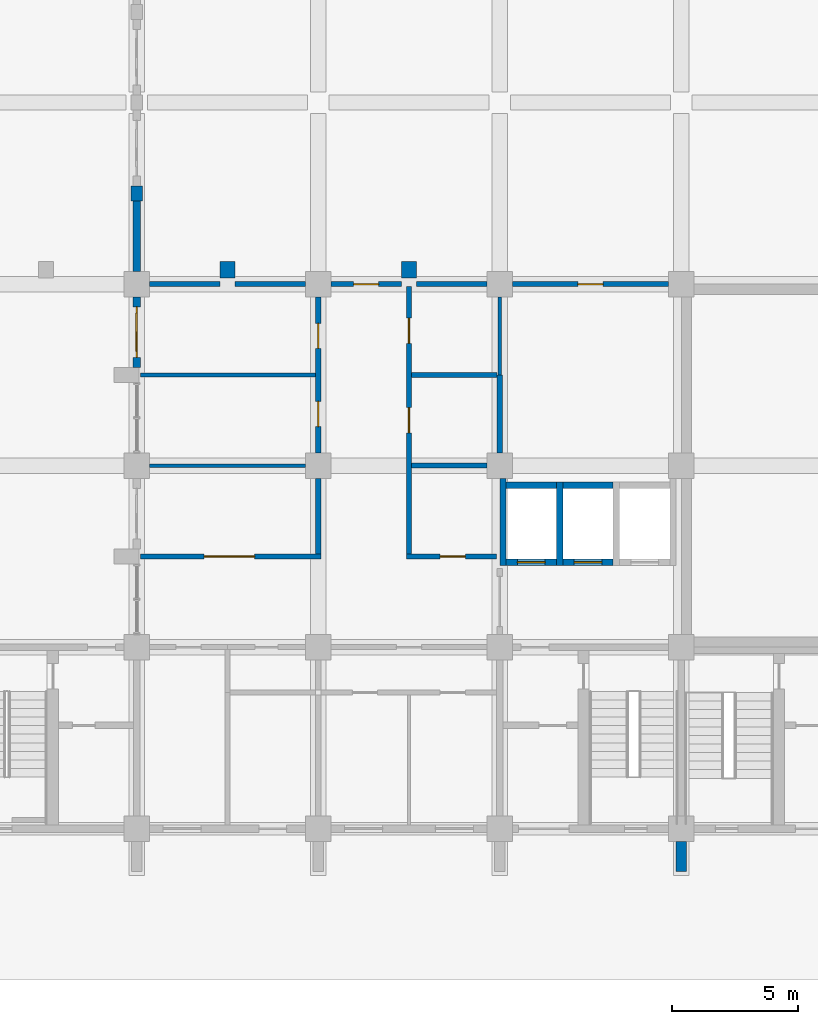
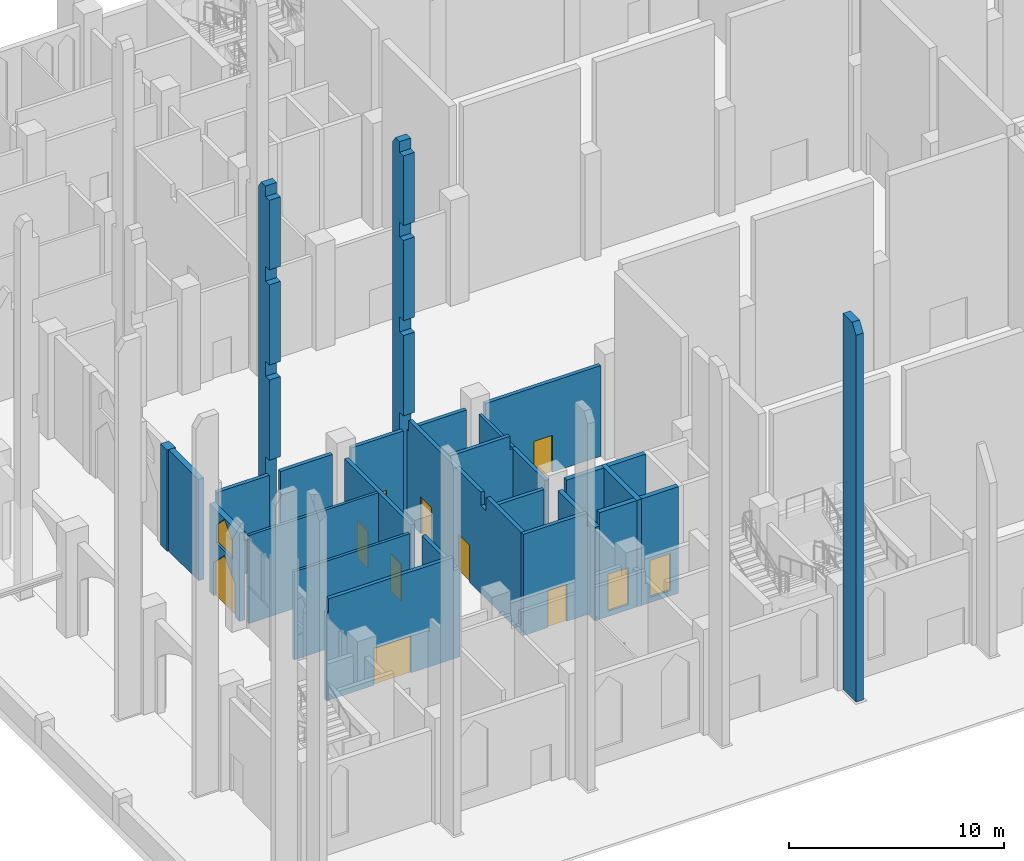
# One storey, part 30 of 50: 28 walls, 11 doors, 1 window, 12 openings.
"""IFC4 building model written with IfcOpenShell, lengths in metres."""

from ifc_helpers import new_model, si_unit, direction, frame, frame_2d, origin, place, context, subcontext, project, spatial, polyline, rectangle, outline, extrude, material, layer, layer_set, type_object, element, fill, save


model = new_model("IFC4")

# Units and contexts
model_context = context("Model", 3, precision=1e-05, world=origin(), true_north=direction((0.0, 1.0)))
body_context = subcontext(model_context, "Body", "Model", "MODEL_VIEW")
ifc_project = project(units=[si_unit("LENGTHUNIT", "METRE"), si_unit("AREAUNIT", "SQUARE_METRE"), si_unit("VOLUMEUNIT", "CUBIC_METRE"), si_unit("PLANEANGLEUNIT", "RADIAN"), si_unit("MASSUNIT", "GRAM", prefix="KILO")], contexts=[model_context])

# Site, building, storey
site_placement = place(None, origin())
site = spatial("IfcSite", under=ifc_project, at=site_placement, CompositionType="ELEMENT")
building_placement = place(site_placement, origin())
building = spatial("IfcBuilding", under=site, at=building_placement, Name="Silangan Lancet Faculty of Sciences", CompositionType="ELEMENT")
storey_placement = place(building_placement, origin())
storey = spatial("IfcBuildingStorey", under=building, at=storey_placement, Name="L00", CompositionType="ELEMENT", Elevation=0.0)

# Wall, openings, window, door
ifc_material_1 = material(Name="Concrete C40/50 precast", Category="concrete")
ifc_layer_1 = layer(ifc_material_1, 0.300048828125)
ifc_layer_set_1 = layer_set([ifc_layer_1], Name="Concrete C40/50 precast")
wall_type_1 = type_object("IfcWallType", Name="EW1 Precast cladding wall", PredefinedType="STANDARD", material=ifc_layer_set_1)
wall_1_placement = place(storey_placement, frame((7.199951171875, 18.300048828125, 0.0), z_axis=(0.0, 0.0, 1.0), x_axis=(0.0, 1.0, 0.0)))
wall_1 = element("IfcWall", 1, at=wall_1_placement, inside=storey, type_object=wall_type_1, Name="EW-L00-SHOP-W-S-m03", PredefinedType="STANDARD", context=body_context, shape_type="SweptSolid", body=[
    extrude(rectangle(XDim=2.800048828125, YDim=0.300048828125, at=frame_2d((1.39990234375, 0.0))), origin(), (0.0, 0.0, 1.0), 5.0),
])
opening_1_placement = place(wall_1_placement, frame((0.39990234375, 0.0, 0.0)))
opening_1 = element("IfcOpeningElement", 2, at=opening_1_placement, cuts=wall_1, Name="Opening L00-920", PredefinedType="OPENING", context=body_context, shape_type="SweptSolid", body=[
    extrude(outline(polyline([(0.0, 0.0), (2.0, 0.0), (2.0, 1.89990234375), (1.0, 2.89990234375), (0.0, 1.89990234375), (0.0, 0.0)])), frame((0.0, 0.159912109375, 0.0), z_axis=(0.0, -1.0, 0.0), x_axis=(1.0, 0.0, 0.0)), (0.0, 0.0, 1.0), 0.320068359375),
])
opening_2_placement = place(wall_1_placement, frame((0.64990234375, 0.0, 3.14990234375)))
opening_2 = element("IfcOpeningElement", 3, at=opening_2_placement, cuts=wall_1, Name="Opening W1", PredefinedType="OPENING", context=body_context, shape_type="SweptSolid", body=[
    extrude(outline(polyline([(0.0, 0.0), (1.5, 0.0), (1.5, 1.050048828125), (0.75, 1.800048828125), (0.0, 1.050048828125), (0.0, 0.0)])), frame((0.0, 0.159912109375, 0.0), z_axis=(0.0, -1.0, 0.0), x_axis=(1.0, 0.0, 0.0)), (0.0, 0.0, 1.0), 0.320068359375),
])
ifc_material_2 = material(Name="Aluminium frame, laminated double glazing", Category="aluminium")
window_type = type_object("IfcWindowType", Name="W1 Lancet window 1500 x 1800 on a 3150 sill", PartitioningType="SINGLE_PANEL", PredefinedType="WINDOW", material=ifc_material_2)
window_placement = place(opening_2_placement, origin())
window = element("IfcWindow", 4, at=window_placement, inside=storey, type_object=window_type, Name="WIN-L00-SHOP-W-S-m03", OverallHeight=1.800048828125, OverallWidth=1.5, PartitioningType="SINGLE_PANEL", PredefinedType="WINDOW", context=body_context, shape_type="SweptSolid", body=[
    extrude(outline(polyline([(0.0, 0.0), (1.5, 0.0), (1.5, 1.050048828125), (0.75, 1.800048828125), (0.0, 1.050048828125), (0.0, 0.0)])), frame((0.0, 0.030029296875, 0.0), z_axis=(0.0, -1.0, 0.0), x_axis=(1.0, 0.0, 0.0)), (0.0, 0.0, 1.0), 0.06005859375),
])
fill(opening_2, window)
ifc_material_3 = material(Name="Aluminium frame, laminated glazing", Category="aluminium")
door_type_1 = type_object("IfcDoorType", Name="XD7 Entrance door pair 2000 x 2900", OperationType="DOUBLE_DOOR_SINGLE_SWING", PredefinedType="DOOR", material=ifc_material_3)
door_1_placement = place(opening_1_placement, origin())
door_1 = element("IfcDoor", 5, at=door_1_placement, inside=storey, type_object=door_type_1, Name="DOOR-L00-920", OperationType="DOUBLE_DOOR_SINGLE_SWING", OverallHeight=2.89990234375, OverallWidth=2.0, PredefinedType="DOOR", context=body_context, shape_type="SweptSolid", body=[
    extrude(outline(polyline([(0.0, 0.0), (2.0, 0.0), (2.0, 1.89990234375), (1.0, 2.89990234375), (0.0, 1.89990234375), (0.0, 0.0)])), frame((0.0, 0.02490234375, 0.0), z_axis=(0.0, -1.0, 0.0), x_axis=(1.0, 0.0, 0.0)), (0.0, 0.0, 1.0), 0.050048828125),
])
fill(opening_1, door_1)

# Walls
ifc_material_4 = material(Name="Concrete C40/50 precast", Category="concrete")
ifc_layer_2 = layer(ifc_material_4, 0.300048828125)
ifc_layer_set_2 = layer_set([ifc_layer_2], Name="Concrete C40/50 precast")
wall_type_2 = type_object("IfcWallType", Name="EW3 Portal wall", PredefinedType="SOLIDWALL", material=ifc_layer_set_2)
wall_2_placement = place(storey_placement, frame((7.199951171875, 22.10009765625, 0.0), z_axis=(0.0, 0.0, 1.0), x_axis=(0.0, 1.0, 0.0)))
element("IfcWall", 6, at=wall_2_placement, inside=storey, type_object=wall_type_2, Name="PORTAL-FLANK-S", PredefinedType="SOLIDWALL", context=body_context, shape_type="SweptSolid", body=[
    extrude(rectangle(XDim=2.7998046875, YDim=0.300048828125, at=frame_2d((1.39990234375, 0.0))), origin(), (0.0, 0.0, 1.0), 5.75),
])
ifc_material_5 = material(Name="Concrete C40/50 precast", Category="concrete")
ifc_layer_3 = layer(ifc_material_5, 0.449951171875)
ifc_layer_set_3 = layer_set([ifc_layer_3], Name="Concrete C40/50 precast")
wall_type_3 = type_object("IfcWallType", Name="EW4 Portal frame pier", PredefinedType="SOLIDWALL", material=ifc_layer_set_3)
wall_3_placement = place(storey_placement, frame((7.199951171875, 24.89990234375, 0.0), z_axis=(0.0, 0.0, 1.0), x_axis=(0.0, 1.0, 0.0)))
element("IfcWall", 7, at=wall_3_placement, inside=storey, type_object=wall_type_3, Name="PORTAL-PIER-S", PredefinedType="SOLIDWALL", context=body_context, shape_type="SweptSolid", body=[
    extrude(rectangle(XDim=0.60009765625, YDim=0.449951171875, at=frame_2d((0.300048828125, 0.0))), origin(), (0.0, 0.0, 1.0), 5.75),
])
ifc_material_6 = material(Name="Concrete C40/50 precast", Category="concrete")
ifc_layer_4 = layer(ifc_material_6, 0.39990234375)
ifc_layer_set_4 = layer_set([ifc_layer_4], Name="Concrete C40/50 precast")
wall_type_4 = type_object("IfcWallType", Name="FN10 Buttress Fin column line stage 1 21350", PredefinedType="POLYGONAL", material=ifc_layer_set_4)
wall_4_placement = place(storey_placement, frame((28.800048828125, -0.5, 0.0), z_axis=(0.0, 0.0, 1.0), x_axis=(0.0, -1.0, 0.0)))
element("IfcWall", 8, at=wall_4_placement, inside=storey, type_object=wall_type_4, Name="FINC-S-SAB-01", PredefinedType="POLYGONAL", context=body_context, shape_type="SweptSolid", body=[
    extrude(outline(polyline([(1.199951171875, 0.0), (1.199951171875, 20.824951171875), (0.85009765625, 21.35009765625), (0.0, 21.35009765625), (0.0, 0.0), (1.199951171875, 0.0)])), frame((0.0, 0.199951171875, 0.0), z_axis=(0.0, -1.0, 0.0), x_axis=(1.0, 0.0, 0.0)), (0.0, 0.0, 1.0), 0.39990234375),
])
ifc_material_7 = material(Name="Concrete C40/50 precast", Category="concrete")
ifc_layer_5 = layer(ifc_material_7, 0.60009765625)
ifc_layer_set_5 = layer_set([ifc_layer_5], Name="Concrete C40/50 precast")
wall_type_5 = type_object("IfcWallType", Name="FN3 Buttress Fin mid-bay stage 1 21350", PredefinedType="POLYGONAL", material=ifc_layer_set_5)
for number, where, z_axis, x_axis, name in (
    (9, (18.0, 21.5, 0.0), (0.0, 0.0, 1.0), (0.0, 1.0, 0.0), "FIN-ATR-ST-1"),
    (10, (10.800048828125, 21.5, 0.0), (0.0, 0.0, 1.0), (0.0, 1.0, 0.0), "FIN-ATR-ST-3"),
):
    element("IfcWall", number, at=place(storey_placement, frame(where, z_axis=z_axis, x_axis=x_axis)), inside=storey, type_object=wall_type_5, Name=name, PredefinedType="POLYGONAL", context=body_context, shape_type="SweptSolid", body=[
        extrude(outline(polyline([(1.0, 0.0), (1.0, 20.97509765625), (0.75, 21.35009765625), (0.35009765625, 21.35009765625), (0.35009765625, 20.75), (0.0, 20.75), (0.0, 16.800048828125), (0.35009765625, 16.800048828125), (0.35009765625, 15.949951171875), (0.0, 15.949951171875), (0.0, 11.39990234375), (0.35009765625, 11.39990234375), (0.35009765625, 10.550048828125), (0.0, 10.550048828125), (0.0, 6.0), (0.35009765625, 6.0), (0.35009765625, 0.0), (1.0, 0.0)])), frame((0.0, 0.300048828125, 0.0), z_axis=(0.0, -1.0, 0.0), x_axis=(1.0, 0.0, 0.0)), (0.0, 0.0, 1.0), 0.60009765625),
    ])

# Wall, opening, door
ifc_material_8 = material(Name="Hollow block masonry fm 7 MPa", Category="masonry")
ifc_layer_6 = layer(ifc_material_8, 0.199951171875)
ifc_layer_set_6 = layer_set([ifc_layer_6], Name="Hollow block masonry fm 7 MPa")
wall_type_6 = type_object("IfcWallType", Name="Interior wall PW1 Corridor wall CHB 200", PredefinedType="PARTITIONING", material=ifc_layer_set_6)
wall_5_placement = place(storey_placement, frame((7.35009765625, 10.800048828125, 0.0), z_axis=(0.0, 0.0, 1.0), x_axis=(1.0, 0.0, 0.0)))
wall_5 = element("IfcWall", 11, at=wall_5_placement, inside=storey, type_object=wall_type_6, Name="Corridor wall CHB 200", PredefinedType="PARTITIONING", context=body_context, shape_type="SweptSolid", body=[
    extrude(outline(polyline([(0.0, 0.0), (7.14990234375, 0.0), (7.14990234375, 5.0), (6.7998046875, 5.0), (6.7998046875, 5.75), (0.099853515625, 5.75), (0.099853515625, 5.0), (0.0, 5.0), (0.0, 0.0)])), frame((0.0, 0.10009765625, 0.0), z_axis=(0.0, -1.0, 0.0), x_axis=(1.0, 0.0, 0.0)), (0.0, 0.0, 1.0), 0.199951171875),
])
opening_3_placement = place(wall_5_placement, frame((2.52490234375, 0.0, 0.0)))
opening_3 = element("IfcOpeningElement", 12, at=opening_3_placement, cuts=wall_5, Name="Opening L00-039", PredefinedType="OPENING", context=body_context, shape_type="SweptSolid", body=[
    extrude(rectangle(XDim=2.0, YDim=2.10009765625, at=frame_2d((1.0, 1.050048828125))), frame((0.0, 0.10986328125, 0.0), z_axis=(0.0, -1.0, 0.0), x_axis=(1.0, 0.0, 0.0)), (0.0, 0.0, 1.0), 0.219970703125),
])
ifc_material_9 = material(Name="Steel fire door set", Category="steel")
door_type_2 = type_object("IfcDoorType", Name="Door D4 Double leaf fire door 2000 x 2100", OperationType="DOUBLE_DOOR_SINGLE_SWING", PredefinedType="DOOR", material=ifc_material_9)
door_2_placement = place(opening_3_placement, origin())
door_2 = element("IfcDoor", 13, at=door_2_placement, inside=storey, type_object=door_type_2, Name="Double leaf fire door 2000 x 2100", OperationType="DOUBLE_DOOR_SINGLE_SWING", OverallHeight=2.10009765625, OverallWidth=2.0, PredefinedType="DOOR", context=body_context, shape_type="SweptSolid", body=[
    extrude(rectangle(XDim=2.0, YDim=2.10009765625, at=frame_2d((1.0, 1.050048828125))), frame((0.0, 0.02490234375, 0.0), z_axis=(0.0, -1.0, 0.0), x_axis=(1.0, 0.0, 0.0)), (0.0, 0.0, 1.0), 0.050048828125),
])
fill(opening_3, door_2)

wall_6_placement = place(storey_placement, frame((17.89990234375, 10.800048828125, 0.0), z_axis=(0.0, 0.0, 1.0), x_axis=(1.0, 0.0, 0.0)))
wall_6 = element("IfcWall", 14, at=wall_6_placement, inside=storey, type_object=wall_type_6, Name="Corridor wall CHB 200", PredefinedType="PARTITIONING", context=body_context, shape_type="SweptSolid", body=[
    extrude(outline(polyline([(0.0, 0.0), (3.5751953125, 0.0), (3.5751953125, 5.0), (3.4501953125, 5.0), (3.4501953125, 5.75), (0.0, 5.75), (0.0, 0.0)])), frame((0.0, 0.10009765625, 0.0), z_axis=(0.0, -1.0, 0.0), x_axis=(1.0, 0.0, 0.0)), (0.0, 0.0, 1.0), 0.199951171875),
])
opening_4_placement = place(wall_6_placement, frame((1.337646484375, 0.0, 0.0)))
opening_4 = element("IfcOpeningElement", 15, at=opening_4_placement, cuts=wall_6, Name="Opening L00-036", PredefinedType="OPENING", context=body_context, shape_type="SweptSolid", body=[
    extrude(rectangle(XDim=1.0, YDim=2.10009765625, at=frame_2d((0.5, 1.050048828125))), frame((0.0, 0.10986328125, 0.0), z_axis=(0.0, -1.0, 0.0), x_axis=(1.0, 0.0, 0.0)), (0.0, 0.0, 1.0), 0.219970703125),
])
ifc_material_10 = material(Name="Steel fire door set", Category="steel")
door_type_3 = type_object("IfcDoorType", Name="Door D1 Single leaf fire door 1000 x 2100", OperationType="SINGLE_SWING_LEFT", PredefinedType="DOOR", material=ifc_material_10)
door_3_placement = place(opening_4_placement, origin())
door_3 = element("IfcDoor", 16, at=door_3_placement, inside=storey, type_object=door_type_3, Name="Single leaf fire door 1000 x 2100", OperationType="SINGLE_SWING_LEFT", OverallHeight=2.10009765625, OverallWidth=1.0, PredefinedType="DOOR", context=body_context, shape_type="SweptSolid", body=[
    extrude(rectangle(XDim=1.0, YDim=2.10009765625, at=frame_2d((0.5, 1.050048828125))), frame((0.0, 0.02490234375, 0.0), z_axis=(0.0, -1.0, 0.0), x_axis=(1.0, 0.0, 0.0)), (0.0, 0.0, 1.0), 0.050048828125),
])
fill(opening_4, door_3)

# Walls
wall_7_placement = place(storey_placement, frame((7.699951171875, 21.60009765625, 0.0), z_axis=(0.0, 0.0, 1.0), x_axis=(1.0, 0.0, 0.0)))
element("IfcWall", 17, at=wall_7_placement, inside=storey, type_object=wall_type_6, Name="Corridor wall CHB 200", PredefinedType="PARTITIONING", context=body_context, shape_type="SweptSolid", body=[
    extrude(rectangle(XDim=2.800048828125, YDim=0.199951171875, at=frame_2d((1.39990234375, 0.0))), origin(), (0.0, 0.0, 1.0), 5.14990234375),
])
wall_8_placement = place(storey_placement, frame((11.10009765625, 21.60009765625, 0.0), z_axis=(0.0, 0.0, 1.0), x_axis=(1.0, 0.0, 0.0)))
element("IfcWall", 18, at=wall_8_placement, inside=storey, type_object=wall_type_6, Name="Corridor wall CHB 200", PredefinedType="PARTITIONING", context=body_context, shape_type="SweptSolid", body=[
    extrude(rectangle(XDim=2.7998046875, YDim=0.199951171875, at=frame_2d((1.39990234375, 0.0))), origin(), (0.0, 0.0, 1.0), 5.14990234375),
])

# Wall, opening, door
wall_9_placement = place(storey_placement, frame((14.89990234375, 21.60009765625, 0.0), z_axis=(0.0, 0.0, 1.0), x_axis=(1.0, 0.0, 0.0)))
wall_9 = element("IfcWall", 19, at=wall_9_placement, inside=storey, type_object=wall_type_6, Name="Corridor wall CHB 200", PredefinedType="PARTITIONING", context=body_context, shape_type="SweptSolid", body=[
    extrude(rectangle(XDim=2.800048828125, YDim=0.199951171875, at=frame_2d((1.39990234375, 0.0))), origin(), (0.0, 0.0, 1.0), 5.14990234375),
])
opening_5_placement = place(wall_9_placement, frame((0.89990234375, 0.0, 0.0)))
opening_5 = element("IfcOpeningElement", 20, at=opening_5_placement, cuts=wall_9, Name="Opening L00-001", PredefinedType="OPENING", context=body_context, shape_type="SweptSolid", body=[
    extrude(rectangle(XDim=1.0, YDim=2.10009765625, at=frame_2d((0.5, 1.050048828125))), frame((0.0, 0.10986328125, 0.0), z_axis=(0.0, -1.0, 0.0), x_axis=(1.0, 0.0, 0.0)), (0.0, 0.0, 1.0), 0.219970703125),
])
door_4_placement = place(opening_5_placement, frame((1.0, 0.0, 0.0), z_axis=(0.0, 0.0, 1.0), x_axis=(-1.0, 0.0, 0.0)))
door_4 = element("IfcDoor", 21, at=door_4_placement, inside=storey, type_object=door_type_3, Name="Single leaf fire door 1000 x 2100", OperationType="SINGLE_SWING_RIGHT", OverallHeight=2.10009765625, OverallWidth=1.0, PredefinedType="DOOR", context=body_context, shape_type="SweptSolid", body=[
    extrude(rectangle(XDim=1.0, YDim=2.10009765625, at=frame_2d((0.5, 1.050048828125))), frame((0.0, 0.025146484375, 0.0), z_axis=(0.0, -1.0, 0.0), x_axis=(1.0, 0.0, 0.0)), (0.0, 0.0, 1.0), 0.050048828125),
])
fill(opening_5, door_4)

# Wall
wall_10_placement = place(storey_placement, frame((18.300048828125, 21.60009765625, 0.0), z_axis=(0.0, 0.0, 1.0), x_axis=(1.0, 0.0, 0.0)))
element("IfcWall", 22, at=wall_10_placement, inside=storey, type_object=wall_type_6, Name="Corridor wall CHB 200", PredefinedType="PARTITIONING", context=body_context, shape_type="SweptSolid", body=[
    extrude(rectangle(XDim=2.800048828125, YDim=0.199951171875, at=frame_2d((1.39990234375, 0.0))), origin(), (0.0, 0.0, 1.0), 5.14990234375),
])

# Wall, opening, door
wall_11_placement = place(storey_placement, frame((22.10009765625, 21.60009765625, 0.0), z_axis=(0.0, 0.0, 1.0), x_axis=(1.0, 0.0, 0.0)))
wall_11 = element("IfcWall", 23, at=wall_11_placement, inside=storey, type_object=wall_type_6, Name="Corridor wall CHB 200", PredefinedType="PARTITIONING", context=body_context, shape_type="SweptSolid", body=[
    extrude(rectangle(XDim=6.199951171875, YDim=0.199951171875, at=frame_2d((3.10009765625, 0.0))), origin(), (0.0, 0.0, 1.0), 5.14990234375),
])
opening_6_placement = place(wall_11_placement, frame((2.60009765625, 0.0, 0.0)))
opening_6 = element("IfcOpeningElement", 24, at=opening_6_placement, cuts=wall_11, Name="Opening L00-035", PredefinedType="OPENING", context=body_context, shape_type="SweptSolid", body=[
    extrude(rectangle(XDim=1.0, YDim=2.10009765625, at=frame_2d((0.5, 1.050048828125))), frame((0.0, 0.10986328125, 0.0), z_axis=(0.0, -1.0, 0.0), x_axis=(1.0, 0.0, 0.0)), (0.0, 0.0, 1.0), 0.219970703125),
])
door_5_placement = place(opening_6_placement, frame((1.0, 0.0, 0.0), z_axis=(0.0, 0.0, 1.0), x_axis=(-1.0, 0.0, 0.0)))
door_5 = element("IfcDoor", 25, at=door_5_placement, inside=storey, type_object=door_type_3, Name="Single leaf fire door 1000 x 2100", OperationType="SINGLE_SWING_LEFT", OverallHeight=2.10009765625, OverallWidth=1.0, PredefinedType="DOOR", context=body_context, shape_type="SweptSolid", body=[
    extrude(rectangle(XDim=1.0, YDim=2.10009765625, at=frame_2d((0.5, 1.050048828125))), frame((0.0, 0.025146484375, 0.0), z_axis=(0.0, -1.0, 0.0), x_axis=(1.0, 0.0, 0.0)), (0.0, 0.0, 1.0), 0.050048828125),
])
fill(opening_6, door_5)

# Wall
wall_12_placement = place(storey_placement, frame((14.39990234375, 10.89990234375, 0.0), z_axis=(0.0, 0.0, 1.0), x_axis=(0.0, 1.0, 0.0)))
element("IfcWall", 26, at=wall_12_placement, inside=storey, type_object=wall_type_6, Name="Corridor wall CHB 200", PredefinedType="PARTITIONING", context=body_context, shape_type="SweptSolid", body=[
    extrude(rectangle(XDim=3.0, YDim=0.199951171875, at=frame_2d((1.5, 0.0))), origin(), (0.0, 0.0, 1.0), 5.0),
])

# Wall, openings, doors
wall_13_placement = place(storey_placement, frame((14.39990234375, 14.89990234375, 0.0), z_axis=(0.0, 0.0, 1.0), x_axis=(0.0, 1.0, 0.0)))
wall_13 = element("IfcWall", 27, at=wall_13_placement, inside=storey, type_object=wall_type_6, Name="Corridor wall CHB 200", PredefinedType="PARTITIONING", context=body_context, shape_type="SweptSolid", body=[
    extrude(rectangle(XDim=6.2001953125, YDim=0.199951171875, at=frame_2d((3.10009765625, 0.0))), origin(), (0.0, 0.0, 1.0), 5.0),
])
opening_7_placement = place(wall_13_placement, frame((4.150146484375, 0.0, 0.0)))
opening_7 = element("IfcOpeningElement", 28, at=opening_7_placement, cuts=wall_13, Name="Opening L00-040", PredefinedType="OPENING", context=body_context, shape_type="SweptSolid", body=[
    extrude(rectangle(XDim=1.0, YDim=2.10009765625, at=frame_2d((0.5, 1.050048828125))), frame((0.0, 0.10986328125, 0.0), z_axis=(0.0, -1.0, 0.0), x_axis=(1.0, 0.0, 0.0)), (0.0, 0.0, 1.0), 0.219970703125),
])
opening_8_placement = place(wall_13_placement, frame((1.050048828125, 0.0, 0.0)))
opening_8 = element("IfcOpeningElement", 29, at=opening_8_placement, cuts=wall_13, Name="Opening L00-041", PredefinedType="OPENING", context=body_context, shape_type="SweptSolid", body=[
    extrude(rectangle(XDim=1.0, YDim=2.10009765625, at=frame_2d((0.5, 1.050048828125))), frame((0.0, 0.10986328125, 0.0), z_axis=(0.0, -1.0, 0.0), x_axis=(1.0, 0.0, 0.0)), (0.0, 0.0, 1.0), 0.219970703125),
])
door_6_placement = place(opening_7_placement, origin())
door_6 = element("IfcDoor", 30, at=door_6_placement, inside=storey, type_object=door_type_3, Name="Single leaf fire door 1000 x 2100", OperationType="SINGLE_SWING_LEFT", OverallHeight=2.10009765625, OverallWidth=1.0, PredefinedType="DOOR", context=body_context, shape_type="SweptSolid", body=[
    extrude(rectangle(XDim=1.0, YDim=2.10009765625, at=frame_2d((0.5, 1.050048828125))), frame((0.0, 0.02490234375, 0.0), z_axis=(0.0, -1.0, 0.0), x_axis=(1.0, 0.0, 0.0)), (0.0, 0.0, 1.0), 0.050048828125),
])
fill(opening_7, door_6)
door_7_placement = place(opening_8_placement, origin())
door_7 = element("IfcDoor", 31, at=door_7_placement, inside=storey, type_object=door_type_3, Name="Single leaf fire door 1000 x 2100", OperationType="SINGLE_SWING_RIGHT", OverallHeight=2.10009765625, OverallWidth=1.0, PredefinedType="DOOR", context=body_context, shape_type="SweptSolid", body=[
    extrude(rectangle(XDim=1.0, YDim=2.10009765625, at=frame_2d((0.5, 1.050048828125))), frame((0.0, 0.02490234375, 0.0), z_axis=(0.0, -1.0, 0.0), x_axis=(1.0, 0.0, 0.0)), (0.0, 0.0, 1.0), 0.050048828125),
])
fill(opening_8, door_7)

wall_14_placement = place(storey_placement, frame((18.0, 10.89990234375, 0.0), z_axis=(0.0, 0.0, 1.0), x_axis=(0.0, 1.0, 0.0)))
wall_14 = element("IfcWall", 32, at=wall_14_placement, inside=storey, type_object=wall_type_6, Name="Corridor wall CHB 200", PredefinedType="PARTITIONING", context=body_context, shape_type="SweptSolid", body=[
    extrude(outline(polyline([(0.0, 0.0), (10.60009765625, 0.0), (10.60009765625, 5.14990234375), (10.4501953125, 5.14990234375), (10.4501953125, 5.75), (3.75, 5.75), (3.75, 5.0), (3.25, 5.0), (3.25, 5.75), (0.0, 5.75), (0.0, 0.0)])), frame((0.0, 0.10009765625, 0.0), z_axis=(0.0, -1.0, 0.0), x_axis=(1.0, 0.0, 0.0)), (0.0, 0.0, 1.0), 0.199951171875),
])
opening_9_placement = place(wall_14_placement, frame((4.800048828125, 0.0, 0.0)))
opening_9 = element("IfcOpeningElement", 33, at=opening_9_placement, cuts=wall_14, Name="Opening L00-037", PredefinedType="OPENING", context=body_context, shape_type="SweptSolid", body=[
    extrude(rectangle(XDim=1.0, YDim=2.10009765625, at=frame_2d((0.5, 1.050048828125))), frame((0.0, 0.10986328125, 0.0), z_axis=(0.0, -1.0, 0.0), x_axis=(1.0, 0.0, 0.0)), (0.0, 0.0, 1.0), 0.219970703125),
])
opening_10_placement = place(wall_14_placement, frame((8.35009765625, 0.0, 0.0)))
opening_10 = element("IfcOpeningElement", 34, at=opening_10_placement, cuts=wall_14, Name="Opening L00-038", PredefinedType="OPENING", context=body_context, shape_type="SweptSolid", body=[
    extrude(rectangle(XDim=1.0, YDim=2.10009765625, at=frame_2d((0.5, 1.050048828125))), frame((0.0, 0.10986328125, 0.0), z_axis=(0.0, -1.0, 0.0), x_axis=(1.0, 0.0, 0.0)), (0.0, 0.0, 1.0), 0.219970703125),
])
door_8_placement = place(opening_9_placement, frame((1.0, 0.0, 0.0), z_axis=(0.0, 0.0, 1.0), x_axis=(-1.0, 0.0, 0.0)))
door_8 = element("IfcDoor", 35, at=door_8_placement, inside=storey, type_object=door_type_3, Name="Single leaf fire door 1000 x 2100", OperationType="SINGLE_SWING_LEFT", OverallHeight=2.10009765625, OverallWidth=1.0, PredefinedType="DOOR", context=body_context, shape_type="SweptSolid", body=[
    extrude(rectangle(XDim=1.0, YDim=2.10009765625, at=frame_2d((0.5, 1.050048828125))), frame((0.0, 0.025146484375, 0.0), z_axis=(0.0, -1.0, 0.0), x_axis=(1.0, 0.0, 0.0)), (0.0, 0.0, 1.0), 0.050048828125),
])
fill(opening_9, door_8)
door_9_placement = place(opening_10_placement, frame((1.0, 0.0, 0.0), z_axis=(0.0, 0.0, 1.0), x_axis=(-1.0, 0.0, 0.0)))
door_9 = element("IfcDoor", 36, at=door_9_placement, inside=storey, type_object=door_type_3, Name="Single leaf fire door 1000 x 2100", OperationType="SINGLE_SWING_RIGHT", OverallHeight=2.10009765625, OverallWidth=1.0, PredefinedType="DOOR", context=body_context, shape_type="SweptSolid", body=[
    extrude(rectangle(XDim=1.0, YDim=2.10009765625, at=frame_2d((0.5, 1.050048828125))), frame((0.0, 0.025146484375, 0.0), z_axis=(0.0, -1.0, 0.0), x_axis=(1.0, 0.0, 0.0)), (0.0, 0.0, 1.0), 0.050048828125),
])
fill(opening_10, door_9)

# Walls
ifc_material_11 = material(Name="Hollow block masonry fm 7 MPa", Category="masonry")
ifc_layer_7 = layer(ifc_material_11, 0.14990234375)
ifc_layer_set_7 = layer_set([ifc_layer_7], Name="Hollow block masonry fm 7 MPa")
wall_type_7 = type_object("IfcWallType", Name="Interior wall PW3 Partition CHB 150", PredefinedType="PARTITIONING", material=ifc_layer_set_7)
wall_15_placement = place(storey_placement, frame((7.699951171875, 14.39990234375, 0.0), z_axis=(0.0, 0.0, 1.0), x_axis=(1.0, 0.0, 0.0)))
element("IfcWall", 37, at=wall_15_placement, inside=storey, type_object=wall_type_7, Name="Partition CHB 150", PredefinedType="PARTITIONING", context=body_context, shape_type="SweptSolid", body=[
    extrude(rectangle(XDim=6.199951171875, YDim=0.14990234375, at=frame_2d((3.10009765625, 0.0))), origin(), (0.0, 0.0, 1.0), 5.0),
])
wall_16_placement = place(storey_placement, frame((7.35009765625, 18.0, 0.0), z_axis=(0.0, 0.0, 1.0), x_axis=(1.0, 0.0, 0.0)))
element("IfcWall", 38, at=wall_16_placement, inside=storey, type_object=wall_type_7, Name="Partition CHB 150", PredefinedType="PARTITIONING", context=body_context, shape_type="SweptSolid", body=[
    extrude(rectangle(XDim=6.949951171875, YDim=0.14990234375, at=frame_2d((3.47509765625, 0.0))), origin(), (0.0, 0.0, 1.0), 5.0),
])
wall_17_placement = place(storey_placement, frame((21.60009765625, 18.0, 0.0), z_axis=(0.0, 0.0, 1.0), x_axis=(0.0, 1.0, 0.0)))
element("IfcWall", 39, at=wall_17_placement, inside=storey, type_object=wall_type_7, Name="Partition CHB 150", PredefinedType="PARTITIONING", context=body_context, shape_type="SweptSolid", body=[
    extrude(rectangle(XDim=3.10009765625, YDim=0.14990234375, at=frame_2d((1.550048828125, 0.0))), origin(), (0.0, 0.0, 1.0), 5.0),
])
ifc_material_12 = material(Name="Hollow block masonry fm 7 MPa", Category="masonry")
ifc_layer_8 = layer(ifc_material_12, 0.199951171875)
ifc_layer_set_8 = layer_set([ifc_layer_8], Name="Hollow block masonry fm 7 MPa")
wall_type_8 = type_object("IfcWallType", Name="Interior wall PW4 Laboratory separation CHB 200", PredefinedType="PARTITIONING", material=ifc_layer_set_8)
wall_18_placement = place(storey_placement, frame((18.10009765625, 14.39990234375, 0.0), z_axis=(0.0, 0.0, 1.0), x_axis=(1.0, 0.0, 0.0)))
element("IfcWall", 40, at=wall_18_placement, inside=storey, type_object=wall_type_8, Name="Laboratory separation CHB 200", PredefinedType="PARTITIONING", context=body_context, shape_type="SweptSolid", body=[
    extrude(rectangle(XDim=3.0, YDim=0.199951171875, at=frame_2d((1.5, 0.0))), origin(), (0.0, 0.0, 1.0), 5.0),
])
wall_19_placement = place(storey_placement, frame((18.10009765625, 18.0, 0.0), z_axis=(0.0, 0.0, 1.0), x_axis=(1.0, 0.0, 0.0)))
element("IfcWall", 41, at=wall_19_placement, inside=storey, type_object=wall_type_8, Name="Laboratory separation CHB 200", PredefinedType="PARTITIONING", context=body_context, shape_type="SweptSolid", body=[
    extrude(outline(polyline([(0.0, 0.0), (3.39990234375, 0.0), (3.39990234375, 5.0), (3.25, 5.0), (3.25, 5.75), (0.0, 5.75), (0.0, 0.0)])), frame((0.0, 0.10009765625, 0.0), z_axis=(0.0, -1.0, 0.0), x_axis=(1.0, 0.0, 0.0)), (0.0, 0.0, 1.0), 0.199951171875),
])
wall_20_placement = place(storey_placement, frame((21.60009765625, 14.89990234375, 0.0), z_axis=(0.0, 0.0, 1.0), x_axis=(0.0, 1.0, 0.0)))
element("IfcWall", 42, at=wall_20_placement, inside=storey, type_object=wall_type_8, Name="Laboratory separation CHB 200", PredefinedType="PARTITIONING", context=body_context, shape_type="SweptSolid", body=[
    extrude(rectangle(XDim=3.10009765625, YDim=0.199951171875, at=frame_2d((1.550048828125, 0.0))), origin(), (0.0, 0.0, 1.0), 5.0),
])
ifc_material_13 = material(Name="Concrete C40/50", Category="concrete")
ifc_layer_9 = layer(ifc_material_13, 0.25)
ifc_layer_set_9 = layer_set([ifc_layer_9], Name="Concrete C40/50")
wall_type_9 = type_object("IfcWallType", Name="LIFT SHAFT WALL RC 250", PredefinedType="SHEAR", material=ifc_layer_set_9)
wall_21_placement = place(storey_placement, frame((21.72509765625, 10.449951171875, -0.300048828125), z_axis=(0.0, 0.0, 1.0), x_axis=(0.0, 1.0, 0.0)))
element("IfcWall", 43, at=wall_21_placement, inside=storey, type_object=wall_type_9, Name="WALL-L00-ST-SW1", PredefinedType="SHEAR", context=body_context, shape_type="SweptSolid", body=[
    extrude(rectangle(XDim=3.449951171875, YDim=0.25, at=frame_2d((1.72509765625, 0.0))), origin(), (0.0, 0.0, 1.0), 5.300048828125),
])
wall_22_placement = place(storey_placement, frame((23.97509765625, 10.449951171875, -0.300048828125), z_axis=(0.0, 0.0, 1.0), x_axis=(0.0, 1.0, 0.0)))
element("IfcWall", 44, at=wall_22_placement, inside=storey, type_object=wall_type_9, Name="WALL-L00-ST-SW2", PredefinedType="SHEAR", context=body_context, shape_type="SweptSolid", body=[
    extrude(rectangle(XDim=3.300048828125, YDim=0.25, at=frame_2d((1.64990234375, 0.0))), origin(), (0.0, 0.0, 1.0), 6.050048828125),
])

# Wall, opening, door
wall_23_placement = place(storey_placement, frame((21.85009765625, 10.574951171875, -0.300048828125), z_axis=(0.0, 0.0, 1.0), x_axis=(1.0, 0.0, 0.0)))
wall_23 = element("IfcWall", 45, at=wall_23_placement, inside=storey, type_object=wall_type_9, Name="WALL-L00-ST-L1-F", PredefinedType="SHEAR", context=body_context, shape_type="SweptSolid", body=[
    extrude(rectangle(XDim=2.0, YDim=0.25, at=frame_2d((1.0, 0.0))), origin(), (0.0, 0.0, 1.0), 6.050048828125),
])
opening_11_placement = place(wall_23_placement, frame((0.449951171875, 0.0, 0.300048828125)))
opening_11 = element("IfcOpeningElement", 46, at=opening_11_placement, cuts=wall_23, Name="Opening L00-807", PredefinedType="OPENING", context=body_context, shape_type="SweptSolid", body=[
    extrude(rectangle(XDim=1.10009765625, YDim=2.10009765625, at=frame_2d((0.550048828125, 1.050048828125))), frame((0.0, 0.135009765625, 0.0), z_axis=(0.0, -1.0, 0.0), x_axis=(1.0, 0.0, 0.0)), (0.0, 0.0, 1.0), 0.27001953125),
])
ifc_material_14 = material(Name="Stainless steel sliding door", Category="steel")
door_type_4 = type_object("IfcDoorType", Name="LD1 Lift landing door 1100x2100", OperationType="SLIDING_TO_LEFT", PredefinedType="DOOR", material=ifc_material_14)
door_10_placement = place(opening_11_placement, origin())
door_10 = element("IfcDoor", 47, at=door_10_placement, inside=storey, type_object=door_type_4, Name="Landing door ST-L1 L00", OperationType="SLIDING_TO_LEFT", OverallHeight=2.10009765625, OverallWidth=1.10009765625, PredefinedType="DOOR", context=body_context, shape_type="SweptSolid", body=[
    extrude(rectangle(XDim=1.10009765625, YDim=2.10009765625, at=frame_2d((0.550048828125, 1.050048828125))), frame((0.0, 0.02490234375, 0.0), z_axis=(0.0, -1.0, 0.0), x_axis=(1.0, 0.0, 0.0)), (0.0, 0.0, 1.0), 0.050048828125),
])
fill(opening_11, door_10)

# Wall
wall_24_placement = place(storey_placement, frame((21.85009765625, 13.625, -0.300048828125), z_axis=(0.0, 0.0, 1.0), x_axis=(1.0, 0.0, 0.0)))
element("IfcWall", 48, at=wall_24_placement, inside=storey, type_object=wall_type_9, Name="WALL-L00-ST-L1-B", PredefinedType="SHEAR", context=body_context, shape_type="SweptSolid", body=[
    extrude(rectangle(XDim=2.0, YDim=0.25, at=frame_2d((1.0, 0.0))), origin(), (0.0, 0.0, 1.0), 6.050048828125),
])

# Wall, opening, door
wall_25_placement = place(storey_placement, frame((24.10009765625, 10.574951171875, -0.300048828125), z_axis=(0.0, 0.0, 1.0), x_axis=(1.0, 0.0, 0.0)))
wall_25 = element("IfcWall", 49, at=wall_25_placement, inside=storey, type_object=wall_type_9, Name="WALL-L00-ST-L2-F", PredefinedType="SHEAR", context=body_context, shape_type="SweptSolid", body=[
    extrude(rectangle(XDim=2.0, YDim=0.25, at=frame_2d((1.0, 0.0))), origin(), (0.0, 0.0, 1.0), 6.050048828125),
])
opening_12_placement = place(wall_25_placement, frame((0.449951171875, 0.0, 0.300048828125)))
opening_12 = element("IfcOpeningElement", 50, at=opening_12_placement, cuts=wall_25, Name="Opening L00-808", PredefinedType="OPENING", context=body_context, shape_type="SweptSolid", body=[
    extrude(rectangle(XDim=1.10009765625, YDim=2.10009765625, at=frame_2d((0.550048828125, 1.050048828125))), frame((0.0, 0.135009765625, 0.0), z_axis=(0.0, -1.0, 0.0), x_axis=(1.0, 0.0, 0.0)), (0.0, 0.0, 1.0), 0.27001953125),
])
door_11_placement = place(opening_12_placement, origin())
door_11 = element("IfcDoor", 51, at=door_11_placement, inside=storey, type_object=door_type_4, Name="Landing door ST-L2 L00", OperationType="SLIDING_TO_LEFT", OverallHeight=2.10009765625, OverallWidth=1.10009765625, PredefinedType="DOOR", context=body_context, shape_type="SweptSolid", body=[
    extrude(rectangle(XDim=1.10009765625, YDim=2.10009765625, at=frame_2d((0.550048828125, 1.050048828125))), frame((0.0, 0.02490234375, 0.0), z_axis=(0.0, -1.0, 0.0), x_axis=(1.0, 0.0, 0.0)), (0.0, 0.0, 1.0), 0.050048828125),
])
fill(opening_12, door_11)

# Wall
wall_26_placement = place(storey_placement, frame((24.10009765625, 13.625, -0.300048828125), z_axis=(0.0, 0.0, 1.0), x_axis=(1.0, 0.0, 0.0)))
element("IfcWall", 52, at=wall_26_placement, inside=storey, type_object=wall_type_9, Name="WALL-L00-ST-L2-B", PredefinedType="SHEAR", context=body_context, shape_type="SweptSolid", body=[
    extrude(rectangle(XDim=2.0, YDim=0.25, at=frame_2d((1.0, 0.0))), origin(), (0.0, 0.0, 1.0), 6.050048828125),
])

save(model, "model.ifc")
